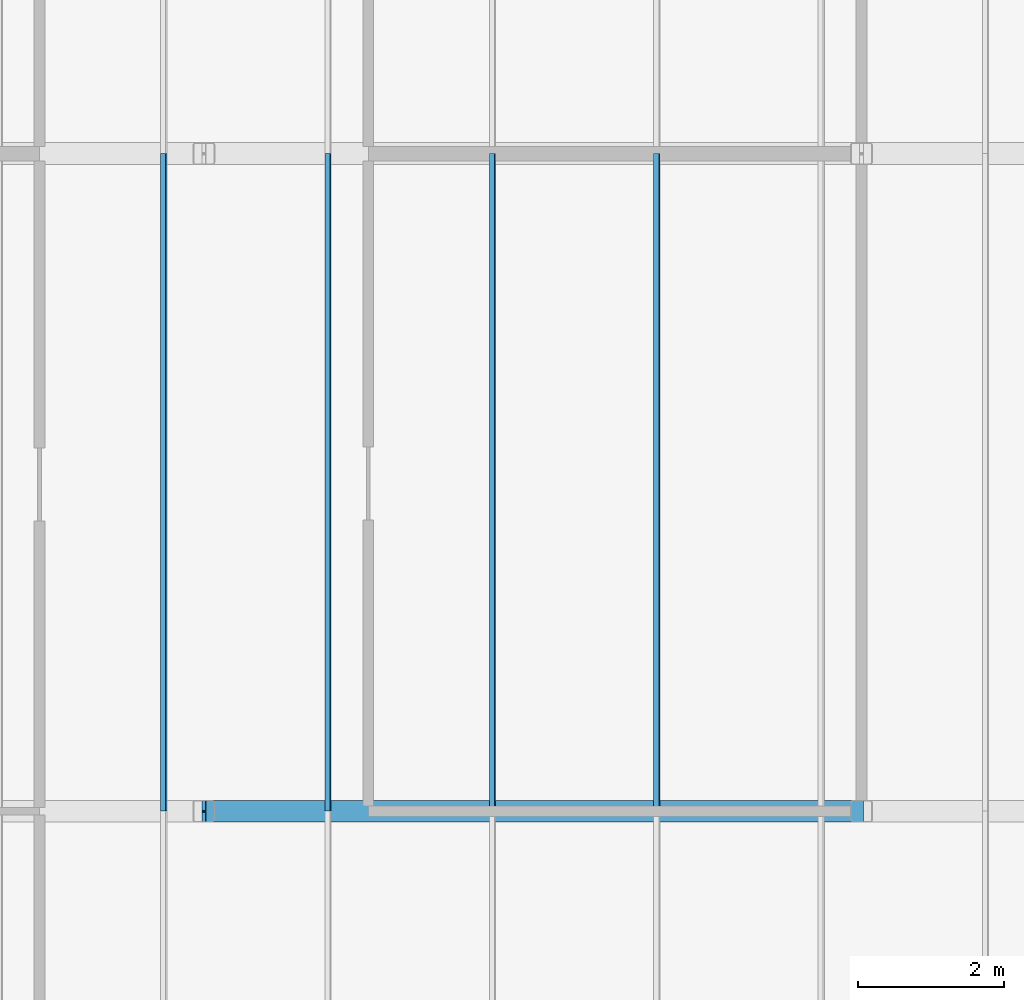
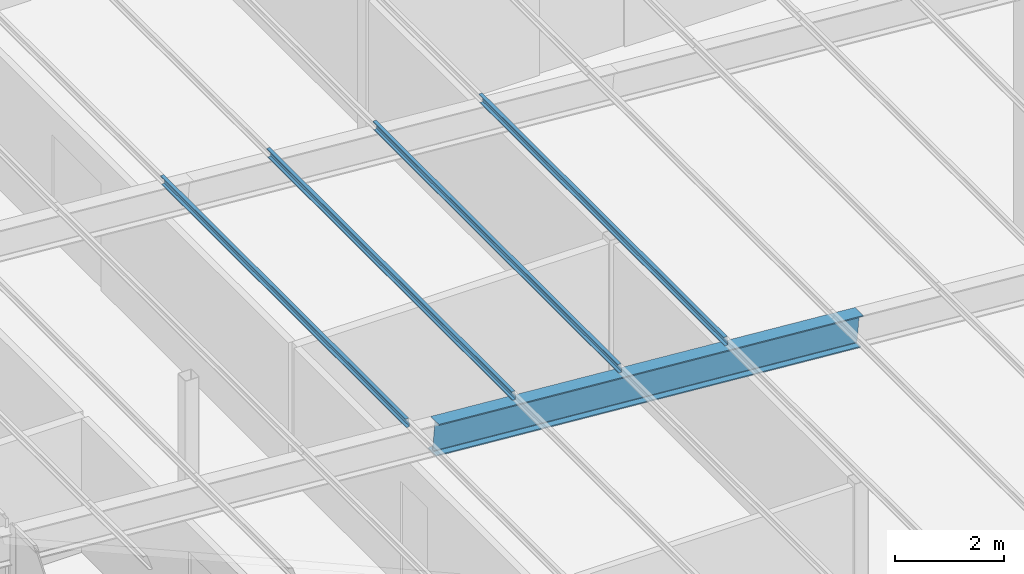
# One storey, part 38 of 85: 5 members.
"""IFC4 building model written with IfcOpenShell, lengths in metres."""

from ifc_helpers import new_model, si_unit, direction, frame, origin, origin_2d, place, context, subcontext, project, spatial, polyline, i_section, outline, extrude, material, material_profile, profile_set, type_object, element, save


model = new_model("IFC4")

# Units and contexts
model_context = context("Model", 3, precision=1e-05, world=origin(), true_north=direction((0.0, 1.0)))
body_context = subcontext(model_context, "Body", "Model", "MODEL_VIEW")
ifc_project = project(units=[si_unit("LENGTHUNIT", "METRE"), si_unit("AREAUNIT", "SQUARE_METRE"), si_unit("VOLUMEUNIT", "CUBIC_METRE"), si_unit("PLANEANGLEUNIT", "RADIAN"), si_unit("MASSUNIT", "GRAM", prefix="KILO")], contexts=[model_context])

# Site, building, storey
site_placement = place(None, origin())
site = spatial("IfcSite", under=ifc_project, at=site_placement, CompositionType="ELEMENT")
building_placement = place(site_placement, origin())
building = spatial("IfcBuilding", under=site, at=building_placement, Name="Opaline Strait Convention Centre", CompositionType="ELEMENT")
storey_placement = place(building_placement, frame((0.0, 0.0, 17.0)))
storey = spatial("IfcBuildingStorey", under=building, at=storey_placement, Name="L03", CompositionType="ELEMENT", Elevation=17.0)

# Members
ifc_material = material(Name="Steel Q355B", Category="steel")
ifc_material_profile_1 = material_profile(ifc_material, outline(polyline([(-0.034912109375, -0.10009765625), (0.034912109375, -0.10009765625), (0.034912109375, -0.080078125), (0.032470703125, -0.080078125), (0.032470703125, -0.097412109375), (-0.032470703125, -0.097412109375), (-0.032470703125, 0.097412109375), (0.032470703125, 0.097412109375), (0.032470703125, 0.080078125), (0.034912109375, 0.080078125), (0.034912109375, 0.10009765625), (-0.034912109375, 0.10009765625), (-0.034912109375, -0.10009765625)])), Name="C 200x70x20x2.5")
ifc_profile_set_1 = profile_set([ifc_material_profile_1], Name="Steel Q355B")
member_type_1 = type_object("IfcMemberType", Name="Roof purlin C 200x70x20x2.5", PredefinedType="PURLIN", material=ifc_profile_set_1)
for number, where, z_axis, x_axis, name in (
    (1, (294.199951171875, 144.0, 7.147705078125), (0.0, 1.0, 0.0), (-0.996917333733, 0.0, -0.078459095728), "MRP1 purlin W wing 147"),
    (2, (291.949951171875, 144.0, 7.324951171875), (0.0, 1.0, 0.0), (-0.996917333733, 0.0, -0.078459095728), "MRP1 purlin W wing 157"),
    (3, (289.699951171875, 144.0, 7.501953125), (0.0, 1.0, 0.0), (-0.996917333733, 0.0, -0.078459095728), "MRP1 purlin W wing 167"),
    (4, (287.449951171875, 144.0, 7.678955078125), (0.0, 1.0, 0.0), (-0.996917333733, 0.0, -0.078459095728), "MRP1 purlin W wing 177"),
):
    element("IfcMember", number, at=place(storey_placement, frame(where, z_axis=z_axis, x_axis=x_axis)), inside=storey, type_object=member_type_1, Name=name, PredefinedType="PURLIN", context=body_context, shape_type="SweptSolid", body=[
        extrude(outline(polyline([(-0.034912109375, -0.10009765625), (0.034912109375, -0.10009765625), (0.034912109375, -0.080078125), (0.032470703125, -0.080078125), (0.032470703125, -0.097412109375), (-0.032470703125, -0.097412109375), (-0.032470703125, 0.097412109375), (0.032470703125, 0.097412109375), (0.032470703125, 0.080078125), (0.034912109375, 0.080078125), (0.034912109375, 0.10009765625), (-0.034912109375, 0.10009765625), (-0.034912109375, -0.10009765625)])), origin(), (0.0, 0.0, 1.0), 9.0),
    ])
ifc_material_profile_2 = material_profile(ifc_material, i_section(OverallWidth=0.300048828125, OverallDepth=0.699951171875, WebThickness=0.012939453125, FlangeThickness=0.02392578125, FilletRadius=0.01806640625, at=origin_2d()), Name="HN 700x300x13x24")
ifc_profile_set_2 = profile_set([ifc_material_profile_2], Name="Steel Q355B")
member_type_2 = type_object("IfcMemberType", Name="Roof rafter HN 700x300x13x24", PredefinedType="RAFTER", material=ifc_profile_set_2)
member_placement = place(storey_placement, frame((288.0, 144.0, 7.184326171875), z_axis=(0.996917883079, 0.0, -0.078452115311), x_axis=(0.0, 1.0, 0.0)))
element("IfcMember", 5, at=member_placement, inside=storey, type_object=member_type_2, Name="MRR1 rafter y 144", PredefinedType="RAFTER", context=body_context, shape_type="SweptSolid", body=[
    extrude(i_section(OverallWidth=0.300048828125, OverallDepth=0.699951171875, WebThickness=0.012939453125, FlangeThickness=0.02392578125, FilletRadius=0.01806640625, at=origin_2d()), origin(), (0.0, 0.0, 1.0), 9.02783203125),
])

save(model, "model.ifc")
